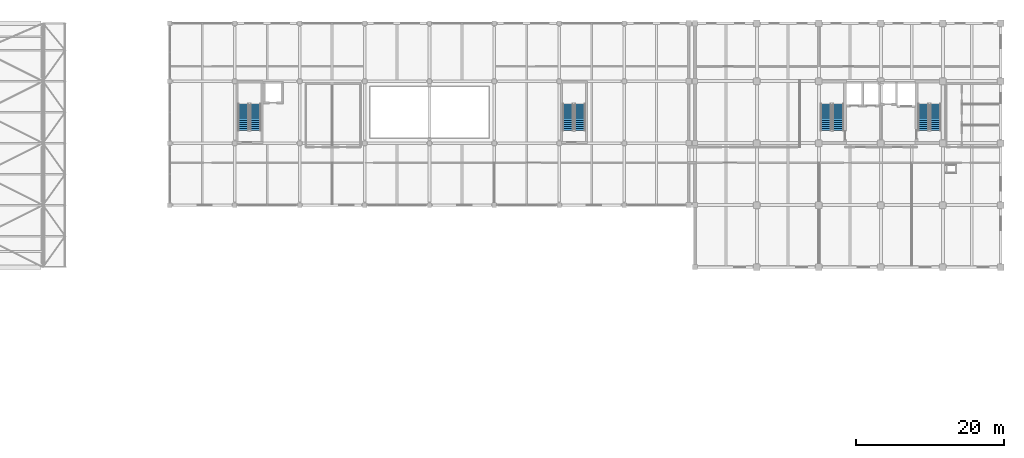
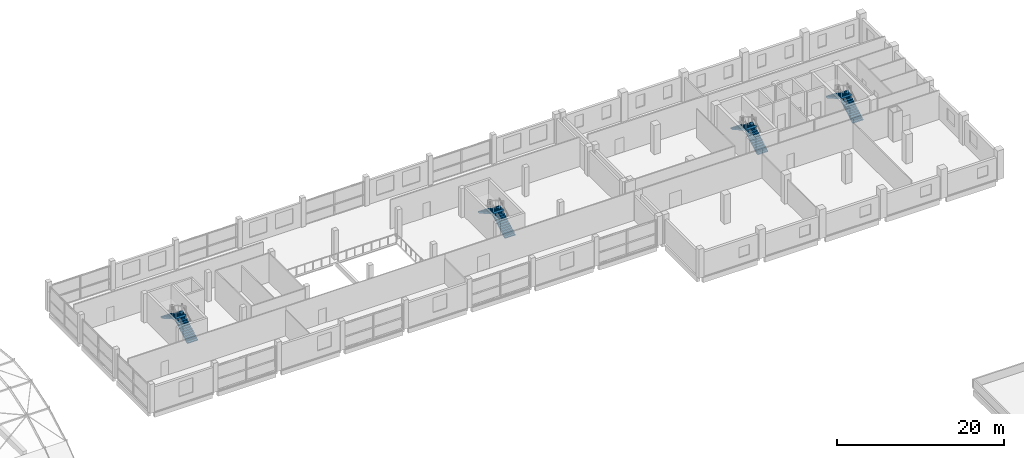
# One storey, part 34 of 38: 8 stair flights, 4 elements without a shape of their own.
"""IFC4 building model written with IfcOpenShell, lengths in metres."""

from ifc_helpers import new_model, si_unit, direction, frame, origin, place, context, subcontext, project, spatial, polyline, outline, extrude, material, type_object, element, aggregate, save


model = new_model("IFC4")

# Units and contexts
model_context = context("Model", 3, precision=1e-05, world=origin(), true_north=direction((0.0, 1.0)))
body_context = subcontext(model_context, "Body", "Model", "MODEL_VIEW")
ifc_project = project(units=[si_unit("LENGTHUNIT", "METRE"), si_unit("AREAUNIT", "SQUARE_METRE"), si_unit("VOLUMEUNIT", "CUBIC_METRE"), si_unit("PLANEANGLEUNIT", "RADIAN"), si_unit("MASSUNIT", "GRAM", prefix="KILO")], contexts=[model_context])

# Site, building, storey
site_placement = place(None, origin())
site = spatial("IfcSite", under=ifc_project, at=site_placement, CompositionType="ELEMENT")
building_placement = place(site_placement, origin())
building = spatial("IfcBuilding", under=site, at=building_placement, Name="Brinegate Botanical Conservatory", CompositionType="ELEMENT")
storey_placement = place(building_placement, frame((0.0, 0.0, 10.199951171875)))
storey = spatial("IfcBuildingStorey", under=building, at=storey_placement, Name="L03", CompositionType="ELEMENT", Elevation=10.199951171875)

# Stair, stair flights
ifc_material = material(Name="Concrete C40/50", Category="concrete")
stair_type = type_object("IfcStairType", Name="Stair_HT-4500", PredefinedType="HALF_TURN_STAIR", material=ifc_material)
stair_1_placement = place(storey_placement, origin())
stair_1 = element("IfcStair", 1, at=stair_1_placement, inside=storey, type_object=stair_type, Name="L03 Tower West Smoke-Proof Stair ST1", PredefinedType="HALF_TURN_STAIR")
stair_flight_type = type_object("IfcStairFlightType", Name="Flight_SF-4500", PredefinedType="STRAIGHT", material=ifc_material)
stair_flight_1_placement = place(storey_placement, frame((141.425048828125, 96.89990234375, 0.0), z_axis=(0.0, 0.0, 1.0), x_axis=(0.0, 1.0, 0.0)))
stair_flight_1 = element("IfcStairFlight", 2, at=stair_flight_1_placement, type_object=stair_flight_type, Name="ST1 flight 1", NumberOfRisers=14, NumberOfTreads=13, PredefinedType="STRAIGHT", RiserHeight=0.160714286, TreadLength=0.28, context=body_context, shape_type="SweptSolid", body=[
    extrude(outline(polyline([(-0.00048828125, 0.0), (-0.00048828125, 0.16064453125), (0.280029296875, 0.16064453125), (0.280029296875, 0.321533203125), (0.56005859375, 0.321533203125), (0.56005859375, 0.482177734375), (0.840087890625, 0.482177734375), (0.840087890625, 0.642822265625), (1.1201171875, 0.642822265625), (1.1201171875, 0.803466796875), (1.39990234375, 0.803466796875), (1.39990234375, 0.96435546875), (1.679931640625, 0.96435546875), (1.679931640625, 1.125), (1.9599609375, 1.125), (1.9599609375, 1.28564453125), (2.239990234375, 1.28564453125), (2.239990234375, 1.446533203125), (2.52001953125, 1.446533203125), (2.52001953125, 1.607177734375), (2.800048828125, 1.607177734375), (2.800048828125, 1.767822265625), (3.080078125, 1.767822265625), (3.080078125, 1.928466796875), (3.360107421875, 1.928466796875), (3.360107421875, 2.08935546875), (3.639892578125, 2.08935546875), (3.639892578125, 2.25), (3.640380859375, 2.25), (3.640380859375, 1.91650390625), (0.301025390625, 0.0), (-0.00048828125, 0.0)])), frame((0.0, 0.72509765625, 0.0), z_axis=(0.0, -1.0, 0.0), x_axis=(1.0, 0.0, 0.0)), (0.0, 0.0, 1.0), 1.449951171875),
])
stair_flight_2_placement = place(storey_placement, frame((139.77490234375, 100.5400390625, 2.25), z_axis=(0.0, 0.0, 1.0), x_axis=(0.0, -1.0, 0.0)))
stair_flight_2 = element("IfcStairFlight", 3, at=stair_flight_2_placement, type_object=stair_flight_type, Name="ST1 flight 2", NumberOfRisers=14, NumberOfTreads=13, PredefinedType="STRAIGHT", RiserHeight=0.160714286, TreadLength=0.28, context=body_context, shape_type="SweptSolid", body=[
    extrude(outline(polyline([(-0.00048828125, 0.0), (-0.00048828125, 0.16064453125), (0.280029296875, 0.16064453125), (0.280029296875, 0.321533203125), (0.56005859375, 0.321533203125), (0.56005859375, 0.482177734375), (0.840087890625, 0.482177734375), (0.840087890625, 0.642822265625), (1.1201171875, 0.642822265625), (1.1201171875, 0.803466796875), (1.39990234375, 0.803466796875), (1.39990234375, 0.96435546875), (1.679931640625, 0.96435546875), (1.679931640625, 1.125), (1.9599609375, 1.125), (1.9599609375, 1.28564453125), (2.239990234375, 1.28564453125), (2.239990234375, 1.446533203125), (2.52001953125, 1.446533203125), (2.52001953125, 1.607177734375), (2.800048828125, 1.607177734375), (2.800048828125, 1.767822265625), (3.080078125, 1.767822265625), (3.080078125, 1.928466796875), (3.360107421875, 1.928466796875), (3.360107421875, 2.08935546875), (3.639892578125, 2.08935546875), (3.639892578125, 2.25), (3.640380859375, 2.25), (3.640380859375, 1.91650390625), (0.301025390625, 0.0), (-0.00048828125, 0.0)])), frame((0.0, 0.72509765625, 0.0), z_axis=(0.0, -1.0, 0.0), x_axis=(1.0, 0.0, 0.0)), (0.0, 0.0, 1.0), 1.449951171875),
])
aggregate(stair_1, [stair_flight_1, stair_flight_2])

stair_2_placement = place(storey_placement, origin())
stair_2 = element("IfcStair", 4, at=stair_2_placement, inside=storey, type_object=stair_type, Name="L03 Tower East Smoke-Proof Stair ST2", PredefinedType="HALF_TURN_STAIR")
stair_flight_3_placement = place(storey_placement, frame((154.625, 96.89990234375, 0.0), z_axis=(0.0, 0.0, 1.0), x_axis=(0.0, 1.0, 0.0)))
stair_flight_3 = element("IfcStairFlight", 5, at=stair_flight_3_placement, type_object=stair_flight_type, Name="ST2 flight 1", NumberOfRisers=14, NumberOfTreads=13, PredefinedType="STRAIGHT", RiserHeight=0.160714286, TreadLength=0.28, context=body_context, shape_type="SweptSolid", body=[
    extrude(outline(polyline([(-0.00048828125, 0.0), (-0.00048828125, 0.16064453125), (0.280029296875, 0.16064453125), (0.280029296875, 0.321533203125), (0.56005859375, 0.321533203125), (0.56005859375, 0.482177734375), (0.840087890625, 0.482177734375), (0.840087890625, 0.642822265625), (1.1201171875, 0.642822265625), (1.1201171875, 0.803466796875), (1.39990234375, 0.803466796875), (1.39990234375, 0.96435546875), (1.679931640625, 0.96435546875), (1.679931640625, 1.125), (1.9599609375, 1.125), (1.9599609375, 1.28564453125), (2.239990234375, 1.28564453125), (2.239990234375, 1.446533203125), (2.52001953125, 1.446533203125), (2.52001953125, 1.607177734375), (2.800048828125, 1.607177734375), (2.800048828125, 1.767822265625), (3.080078125, 1.767822265625), (3.080078125, 1.928466796875), (3.360107421875, 1.928466796875), (3.360107421875, 2.08935546875), (3.639892578125, 2.08935546875), (3.639892578125, 2.25), (3.640380859375, 2.25), (3.640380859375, 1.91650390625), (0.301025390625, 0.0), (-0.00048828125, 0.0)])), frame((0.0, 0.72509765625, 0.0), z_axis=(0.0, -1.0, 0.0), x_axis=(1.0, 0.0, 0.0)), (0.0, 0.0, 1.0), 1.449951171875),
])
stair_flight_4_placement = place(storey_placement, frame((152.97509765625, 100.5400390625, 2.25), z_axis=(0.0, 0.0, 1.0), x_axis=(0.0, -1.0, 0.0)))
stair_flight_4 = element("IfcStairFlight", 6, at=stair_flight_4_placement, type_object=stair_flight_type, Name="ST2 flight 2", NumberOfRisers=14, NumberOfTreads=13, PredefinedType="STRAIGHT", RiserHeight=0.160714286, TreadLength=0.28, context=body_context, shape_type="SweptSolid", body=[
    extrude(outline(polyline([(-0.00048828125, 0.0), (-0.00048828125, 0.16064453125), (0.280029296875, 0.16064453125), (0.280029296875, 0.321533203125), (0.56005859375, 0.321533203125), (0.56005859375, 0.482177734375), (0.840087890625, 0.482177734375), (0.840087890625, 0.642822265625), (1.1201171875, 0.642822265625), (1.1201171875, 0.803466796875), (1.39990234375, 0.803466796875), (1.39990234375, 0.96435546875), (1.679931640625, 0.96435546875), (1.679931640625, 1.125), (1.9599609375, 1.125), (1.9599609375, 1.28564453125), (2.239990234375, 1.28564453125), (2.239990234375, 1.446533203125), (2.52001953125, 1.446533203125), (2.52001953125, 1.607177734375), (2.800048828125, 1.607177734375), (2.800048828125, 1.767822265625), (3.080078125, 1.767822265625), (3.080078125, 1.928466796875), (3.360107421875, 1.928466796875), (3.360107421875, 2.08935546875), (3.639892578125, 2.08935546875), (3.639892578125, 2.25), (3.640380859375, 2.25), (3.640380859375, 1.91650390625), (0.301025390625, 0.0), (-0.00048828125, 0.0)])), frame((0.0, 0.72509765625, 0.0), z_axis=(0.0, -1.0, 0.0), x_axis=(1.0, 0.0, 0.0)), (0.0, 0.0, 1.0), 1.449951171875),
])
aggregate(stair_2, [stair_flight_3, stair_flight_4])

stair_3_placement = place(storey_placement, origin())
stair_3 = element("IfcStair", 7, at=stair_3_placement, inside=storey, type_object=stair_type, Name="L03 Visitor Wing West Smoke-Proof Stair ST3", PredefinedType="HALF_TURN_STAIR")
stair_flight_5_placement = place(storey_placement, frame((62.425048828125, 96.89990234375, 0.0), z_axis=(0.0, 0.0, 1.0), x_axis=(0.0, 1.0, 0.0)))
stair_flight_5 = element("IfcStairFlight", 8, at=stair_flight_5_placement, type_object=stair_flight_type, Name="ST3 flight 1", NumberOfRisers=14, NumberOfTreads=13, PredefinedType="STRAIGHT", RiserHeight=0.160714286, TreadLength=0.28, context=body_context, shape_type="SweptSolid", body=[
    extrude(outline(polyline([(-0.00048828125, 0.0), (-0.00048828125, 0.16064453125), (0.280029296875, 0.16064453125), (0.280029296875, 0.321533203125), (0.56005859375, 0.321533203125), (0.56005859375, 0.482177734375), (0.840087890625, 0.482177734375), (0.840087890625, 0.642822265625), (1.1201171875, 0.642822265625), (1.1201171875, 0.803466796875), (1.39990234375, 0.803466796875), (1.39990234375, 0.96435546875), (1.679931640625, 0.96435546875), (1.679931640625, 1.125), (1.9599609375, 1.125), (1.9599609375, 1.28564453125), (2.239990234375, 1.28564453125), (2.239990234375, 1.446533203125), (2.52001953125, 1.446533203125), (2.52001953125, 1.607177734375), (2.800048828125, 1.607177734375), (2.800048828125, 1.767822265625), (3.080078125, 1.767822265625), (3.080078125, 1.928466796875), (3.360107421875, 1.928466796875), (3.360107421875, 2.08935546875), (3.639892578125, 2.08935546875), (3.639892578125, 2.25), (3.640380859375, 2.25), (3.640380859375, 1.91650390625), (0.301025390625, 0.0), (-0.00048828125, 0.0)])), frame((0.0, 0.72509765625, 0.0), z_axis=(0.0, -1.0, 0.0), x_axis=(1.0, 0.0, 0.0)), (0.0, 0.0, 1.0), 1.449951171875),
])
stair_flight_6_placement = place(storey_placement, frame((60.77490234375, 100.5400390625, 2.25), z_axis=(0.0, 0.0, 1.0), x_axis=(0.0, -1.0, 0.0)))
stair_flight_6 = element("IfcStairFlight", 9, at=stair_flight_6_placement, type_object=stair_flight_type, Name="ST3 flight 2", NumberOfRisers=14, NumberOfTreads=13, PredefinedType="STRAIGHT", RiserHeight=0.160714286, TreadLength=0.28, context=body_context, shape_type="SweptSolid", body=[
    extrude(outline(polyline([(-0.00048828125, 0.0), (-0.00048828125, 0.16064453125), (0.280029296875, 0.16064453125), (0.280029296875, 0.321533203125), (0.56005859375, 0.321533203125), (0.56005859375, 0.482177734375), (0.840087890625, 0.482177734375), (0.840087890625, 0.642822265625), (1.1201171875, 0.642822265625), (1.1201171875, 0.803466796875), (1.39990234375, 0.803466796875), (1.39990234375, 0.96435546875), (1.679931640625, 0.96435546875), (1.679931640625, 1.125), (1.9599609375, 1.125), (1.9599609375, 1.28564453125), (2.239990234375, 1.28564453125), (2.239990234375, 1.446533203125), (2.52001953125, 1.446533203125), (2.52001953125, 1.607177734375), (2.800048828125, 1.607177734375), (2.800048828125, 1.767822265625), (3.080078125, 1.767822265625), (3.080078125, 1.928466796875), (3.360107421875, 1.928466796875), (3.360107421875, 2.08935546875), (3.639892578125, 2.08935546875), (3.639892578125, 2.25), (3.640380859375, 2.25), (3.640380859375, 1.91650390625), (0.301025390625, 0.0), (-0.00048828125, 0.0)])), frame((0.0, 0.72509765625, 0.0), z_axis=(0.0, -1.0, 0.0), x_axis=(1.0, 0.0, 0.0)), (0.0, 0.0, 1.0), 1.449951171875),
])
aggregate(stair_3, [stair_flight_5, stair_flight_6])

stair_4_placement = place(storey_placement, origin())
stair_4 = element("IfcStair", 10, at=stair_4_placement, inside=storey, type_object=stair_type, Name="L03 Visitor Wing East Smoke-Proof Stair ST4", PredefinedType="HALF_TURN_STAIR")
stair_flight_7_placement = place(storey_placement, frame((106.425048828125, 96.89990234375, 0.0), z_axis=(0.0, 0.0, 1.0), x_axis=(0.0, 1.0, 0.0)))
stair_flight_7 = element("IfcStairFlight", 11, at=stair_flight_7_placement, type_object=stair_flight_type, Name="ST4 flight 1", NumberOfRisers=14, NumberOfTreads=13, PredefinedType="STRAIGHT", RiserHeight=0.160714286, TreadLength=0.28, context=body_context, shape_type="SweptSolid", body=[
    extrude(outline(polyline([(-0.00048828125, 0.0), (-0.00048828125, 0.16064453125), (0.280029296875, 0.16064453125), (0.280029296875, 0.321533203125), (0.56005859375, 0.321533203125), (0.56005859375, 0.482177734375), (0.840087890625, 0.482177734375), (0.840087890625, 0.642822265625), (1.1201171875, 0.642822265625), (1.1201171875, 0.803466796875), (1.39990234375, 0.803466796875), (1.39990234375, 0.96435546875), (1.679931640625, 0.96435546875), (1.679931640625, 1.125), (1.9599609375, 1.125), (1.9599609375, 1.28564453125), (2.239990234375, 1.28564453125), (2.239990234375, 1.446533203125), (2.52001953125, 1.446533203125), (2.52001953125, 1.607177734375), (2.800048828125, 1.607177734375), (2.800048828125, 1.767822265625), (3.080078125, 1.767822265625), (3.080078125, 1.928466796875), (3.360107421875, 1.928466796875), (3.360107421875, 2.08935546875), (3.639892578125, 2.08935546875), (3.639892578125, 2.25), (3.640380859375, 2.25), (3.640380859375, 1.91650390625), (0.301025390625, 0.0), (-0.00048828125, 0.0)])), frame((0.0, 0.72509765625, 0.0), z_axis=(0.0, -1.0, 0.0), x_axis=(1.0, 0.0, 0.0)), (0.0, 0.0, 1.0), 1.449951171875),
])
stair_flight_8_placement = place(storey_placement, frame((104.77490234375, 100.5400390625, 2.25), z_axis=(0.0, 0.0, 1.0), x_axis=(0.0, -1.0, 0.0)))
stair_flight_8 = element("IfcStairFlight", 12, at=stair_flight_8_placement, type_object=stair_flight_type, Name="ST4 flight 2", NumberOfRisers=14, NumberOfTreads=13, PredefinedType="STRAIGHT", RiserHeight=0.160714286, TreadLength=0.28, context=body_context, shape_type="SweptSolid", body=[
    extrude(outline(polyline([(-0.00048828125, 0.0), (-0.00048828125, 0.16064453125), (0.280029296875, 0.16064453125), (0.280029296875, 0.321533203125), (0.56005859375, 0.321533203125), (0.56005859375, 0.482177734375), (0.840087890625, 0.482177734375), (0.840087890625, 0.642822265625), (1.1201171875, 0.642822265625), (1.1201171875, 0.803466796875), (1.39990234375, 0.803466796875), (1.39990234375, 0.96435546875), (1.679931640625, 0.96435546875), (1.679931640625, 1.125), (1.9599609375, 1.125), (1.9599609375, 1.28564453125), (2.239990234375, 1.28564453125), (2.239990234375, 1.446533203125), (2.52001953125, 1.446533203125), (2.52001953125, 1.607177734375), (2.800048828125, 1.607177734375), (2.800048828125, 1.767822265625), (3.080078125, 1.767822265625), (3.080078125, 1.928466796875), (3.360107421875, 1.928466796875), (3.360107421875, 2.08935546875), (3.639892578125, 2.08935546875), (3.639892578125, 2.25), (3.640380859375, 2.25), (3.640380859375, 1.91650390625), (0.301025390625, 0.0), (-0.00048828125, 0.0)])), frame((0.0, 0.72509765625, 0.0), z_axis=(0.0, -1.0, 0.0), x_axis=(1.0, 0.0, 0.0)), (0.0, 0.0, 1.0), 1.449951171875),
])
aggregate(stair_4, [stair_flight_7, stair_flight_8])

save(model, "model.ifc")
